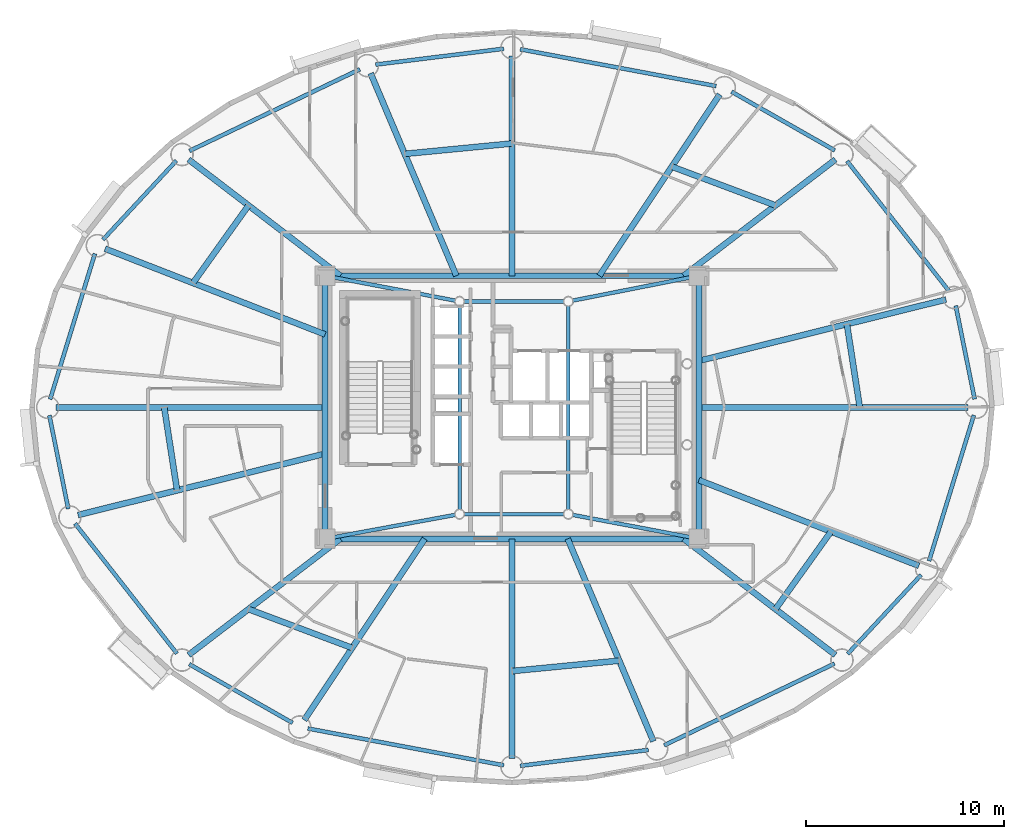
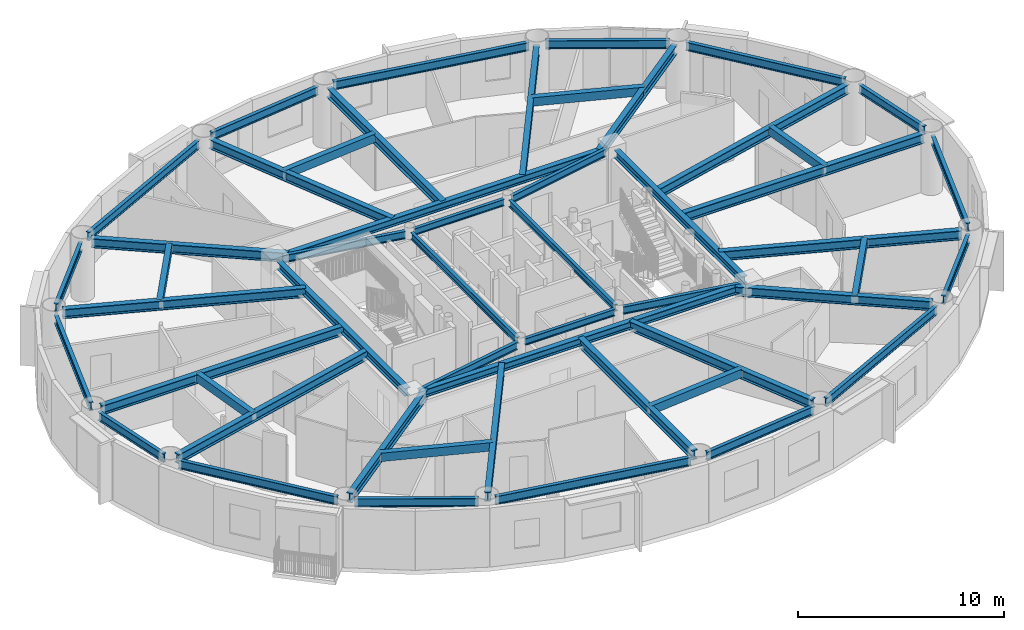
# One storey, part 3 of 19: 52 beams.
"""IFC4 building model written with IfcOpenShell, lengths in metres."""

import ifcopenshell
import ifcopenshell.guid

model = None  # the IFC model being written
_history = None  # IfcOwnerHistory: only IFC2X3 demands one
_inside = {}  # id of a spatial element -> (the spatial element, [elements in it])
_under = {}  # id of a project, library or spatial element -> (it, [spatial elements below it])
_declared = {}  # id of a project -> (the project, [libraries it declares])
_typed = {}  # id of a type object -> (the type object, [elements of that type])
_made_of = {}  # id of a material, layer set ... -> (it, [elements and type objects made of it])


def new_model(schema):
    """Start an empty IFC model of exactly this schema.

    Asked for "IFC4X3", IfcOpenShell would pick the latest addendum, in which some entities
    have other attributes; the version numbers below select the first issue.
    IFC2X3 requires an IfcOwnerHistory on every rooted entity: one is made here for all.
    """
    global model, _history
    if schema == "IFC4X3":
        model = ifcopenshell.file(schema_version=(4, 3, 0, 0))
    else:
        model = ifcopenshell.file(schema=schema)
    _inside.clear()
    _under.clear()
    _declared.clear()
    _typed.clear()
    _made_of.clear()
    _history = None
    if model.schema == "IFC2X3":
        org = make("IfcOrganization", Name="unknown")
        user = make(
            "IfcPersonAndOrganization",
            ThePerson=make("IfcPerson", FamilyName="unknown"),
            TheOrganization=org,
        )
        app = make(
            "IfcApplication",
            ApplicationDeveloper=org,
            Version="unknown",
            ApplicationFullName="unknown",
            ApplicationIdentifier="unknown",
        )
        _history = make(
            "IfcOwnerHistory",
            OwningUser=user,
            OwningApplication=app,
            ChangeAction="ADDED",
            CreationDate=0,
        )
    return model


def make(cls, **values):
    """One entity of the class cls with the attributes given. An attribute that is None is left unset."""
    return model.create_entity(
        cls, **{name: value for name, value in values.items() if value is not None}
    )


def rooted(cls, **values):
    """An entity with a GlobalId (a new one), such as an element, a storey or a relation."""
    return make(cls, GlobalId=ifcopenshell.guid.new(), OwnerHistory=_history, **values)


def si_unit(unit_type, name, prefix=None):
    """IfcSIUnit, for example si_unit("LENGTHUNIT", "METRE", prefix="MILLI")."""
    return make("IfcSIUnit", UnitType=unit_type, Prefix=prefix, Name=name)


def assignment(units):
    """IfcUnitAssignment: the units of a project."""
    return None if units is None else make("IfcUnitAssignment", Units=units)


def point(xyz):
    """IfcCartesianPoint."""
    return None if xyz is None else make("IfcCartesianPoint", Coordinates=xyz)


def direction(xyz):
    """IfcDirection."""
    return None if xyz is None else make("IfcDirection", DirectionRatios=xyz)


def frame(location, z_axis=None, x_axis=None):
    """IfcAxis2Placement3D, a coordinate frame: its origin and axes. An axis left out is left unset."""
    return make(
        "IfcAxis2Placement3D",
        Location=point(location),
        Axis=direction(z_axis),
        RefDirection=direction(x_axis),
    )


def frame_2d(location, x_axis=None):
    """IfcAxis2Placement2D, a coordinate frame in the plane: its origin and x axis."""
    return make(
        "IfcAxis2Placement2D", Location=point(location), RefDirection=direction(x_axis)
    )


def origin():
    """The frame at (0, 0, 0) with its axes left unset."""
    return frame((0.0, 0.0, 0.0))


def origin_2d():
    """The frame at (0, 0) in the plane with its x axis left unset."""
    return frame_2d((0.0, 0.0))


def place(relative_to, where):
    """IfcLocalPlacement: puts the frame where relative to a parent placement (None: the world)."""
    return make(
        "IfcLocalPlacement", PlacementRelTo=relative_to, RelativePlacement=where
    )


def context(
    kind, dimensions, precision=None, world=None, true_north=None, identifier=None
):
    """IfcGeometricRepresentationContext, for example the 3D "Model" context."""
    return make(
        "IfcGeometricRepresentationContext",
        ContextIdentifier=identifier,
        ContextType=kind,
        CoordinateSpaceDimension=dimensions,
        Precision=precision,
        WorldCoordinateSystem=world,
        TrueNorth=true_north,
    )


def subcontext(parent, identifier, kind, view, scale=None):
    """IfcGeometricRepresentationSubContext, for example "Body" below "Model"."""
    return make(
        "IfcGeometricRepresentationSubContext",
        ContextIdentifier=identifier,
        ContextType=kind,
        ParentContext=parent,
        TargetScale=scale,
        TargetView=view,
    )


def project(units=None, contexts=None):
    """IfcProject with its units and contexts."""
    return rooted(
        "IfcProject",
        Name="project",
        RepresentationContexts=contexts,
        UnitsInContext=assignment(units),
    )


def spatial(cls, under=None, at=None, **own):
    """A site, building, storey or space (cls), placed at a placement, below another one or the project."""
    s = rooted(cls, ObjectPlacement=at, **own)
    if under is not None:
        _under.setdefault(under.id(), (under, []))[1].append(s)
    return s


def profile(cls, at=None, kind="AREA", **sizes):
    """A parametric profile (cls). Its sizes go by their IFC names, for example OverallWidth=200.0."""
    return make(cls, ProfileType=kind, Position=at, **sizes)


def hollow_rectangle(**sizes):
    """IfcRectangleHollowProfileDef."""
    return profile("IfcRectangleHollowProfileDef", **sizes)


def i_section(**sizes):
    """IfcIShapeProfileDef."""
    return profile("IfcIShapeProfileDef", **sizes)


def extrude(swept, where, along, depth):
    """IfcExtrudedAreaSolid: the profile swept, set in the frame where, extruded along a direction by depth."""
    return make(
        "IfcExtrudedAreaSolid",
        SweptArea=swept,
        Position=where,
        ExtrudedDirection=direction(along),
        Depth=depth,
    )


def shape(context_of_items, identifier, shape_type, items):
    """IfcShapeRepresentation: the items that make up one representation, for example the "Body"."""
    return make(
        "IfcShapeRepresentation",
        ContextOfItems=context_of_items,
        RepresentationIdentifier=identifier,
        RepresentationType=shape_type,
        Items=items,
    )


def material(Name=None, Category=None):
    """IfcMaterial."""
    return make("IfcMaterial", Name=Name, Category=Category)


def material_profile(
    of_material, cross_section, Name=None, Category=None, Priority=None
):
    """IfcMaterialProfile: a cross section and its material."""
    return make(
        "IfcMaterialProfile",
        Name=Name,
        Material=of_material,
        Profile=cross_section,
        Priority=Priority,
        Category=Category,
    )


def profile_set(profiles, Name=None, composite=None):
    """IfcMaterialProfileSet."""
    return make(
        "IfcMaterialProfileSet",
        Name=Name,
        MaterialProfiles=profiles,
        CompositeProfile=composite,
    )


def made_of(thing, what):
    """Note that an element or type object is made of a material, layer set ...; save() writes the relation."""
    if what is not None:
        _made_of.setdefault(what.id(), (what, []))[1].append(thing)
    return thing


def type_object(cls, material=None, **own):
    """A type object (cls), such as IfcWallType, which elements share."""
    return made_of(rooted(cls, **own), material)


def element(
    cls,
    number,
    at=None,
    inside=None,
    cuts=None,
    type_object=None,
    material=None,
    context=None,
    identifier="Body",
    shape_type=None,
    held_by="IfcProductDefinitionShape",
    body=None,
    shapes=None,
    **own,
):
    """One element of the class cls, such as IfcWall. Its Tag is "e" and its number.

    at: its placement. inside: the storey or other place that contains it. cuts: it is an
    opening in that element (IfcRelVoidsElement). A single representation is given by context,
    identifier, shape_type and body (its items); several are given by shapes. held_by: the class
    of the entity that holds the representations. save() writes the other relations.
    """
    e = rooted(cls, Tag="e%d" % number, ObjectPlacement=at, **own)
    if body is not None:
        shapes = [shape(context, identifier, shape_type, body)]
    if shapes is not None:
        e.Representation = make(held_by, Representations=shapes)
    if inside is not None:
        _inside.setdefault(inside.id(), (inside, []))[1].append(e)
    if cuts is not None:
        rooted(
            "IfcRelVoidsElement", RelatingBuildingElement=cuts, RelatedOpeningElement=e
        )
    if type_object is not None:
        _typed.setdefault(type_object.id(), (type_object, []))[1].append(e)
    return made_of(e, material)


def aggregate(whole, parts):
    """IfcRelAggregates: a whole, such as a stair, and the parts it consists of."""
    return rooted("IfcRelAggregates", RelatingObject=whole, RelatedObjects=parts)


def save(model, path):
    """Write the relations noted so far, then the file.

    IfcRelAggregates (storeys below a building ...), IfcRelContainedInSpatialStructure (elements
    in a storey), IfcRelDefinesByType, IfcRelAssociatesMaterial and IfcRelDeclares: one each for
    every whole, place, type object, material and project.
    """
    for whole, parts in _under.values():
        aggregate(whole, parts)
    for where, things in _inside.values():
        rooted(
            "IfcRelContainedInSpatialStructure",
            RelatedElements=things,
            RelatingStructure=where,
        )
    for kind, things in _typed.values():
        rooted("IfcRelDefinesByType", RelatedObjects=things, RelatingType=kind)
    for what, things in _made_of.values():
        rooted("IfcRelAssociatesMaterial", RelatedObjects=things, RelatingMaterial=what)
    for by, libraries in _declared.values():
        rooted("IfcRelDeclares", RelatingContext=by, RelatedDefinitions=libraries)
    model.write(path)


model = new_model("IFC4")

# Units and contexts
model_context = context("Model", 3, precision=1e-05, world=origin(), true_north=direction((0.0, 1.0)))
body_context = subcontext(model_context, "Body", "Model", "MODEL_VIEW")
ifc_project = project(units=[si_unit("LENGTHUNIT", "METRE"), si_unit("AREAUNIT", "SQUARE_METRE"), si_unit("VOLUMEUNIT", "CUBIC_METRE"), si_unit("PLANEANGLEUNIT", "RADIAN"), si_unit("MASSUNIT", "GRAM", prefix="KILO")], contexts=[model_context])

# Site, building, storey
site_placement = place(None, origin())
site = spatial("IfcSite", under=ifc_project, at=site_placement, CompositionType="ELEMENT")
building_placement = place(site_placement, origin())
building = spatial("IfcBuilding", under=site, at=building_placement, Name="Linh Dai School and Residence Tower", CompositionType="ELEMENT")
storey_placement = place(building_placement, frame((0.0, 0.0, 247.800048828125)))
storey = spatial("IfcBuildingStorey", under=building, at=storey_placement, Name="L61", CompositionType="ELEMENT", Elevation=247.800048828125)

# Beams
ifc_material = material(Name="Structural Steel S355JR", Category="steel")
ifc_material_profile_1 = material_profile(ifc_material, hollow_rectangle(XDim=0.300048828125, YDim=0.5, WallThickness=0.01611328125, at=origin_2d()), Name="RHS 500x300x16")
ifc_profile_set_1 = profile_set([ifc_material_profile_1], Name="Structural Steel S355JR")
beam_type_1 = type_object("IfcBeamType", Name="BM-BX5", PredefinedType="BEAM", material=ifc_profile_set_1)
beam_1_placement = place(storey_placement, frame((53.583740234375, 27.0048828125, 3.25), z_axis=(-0.153185278766, 0.988197485511, 0.0), x_axis=(-0.988197485511, -0.153185278766, 0.0)))
element("IfcBeam", 1, at=beam_1_placement, inside=storey, type_object=beam_type_1, Name="L61 Secondary Circumferential Floor Beam 01", PredefinedType="BEAM", context=body_context, shape_type="SweptSolid", body=[
    extrude(hollow_rectangle(XDim=0.300048828125, YDim=0.5, WallThickness=0.01611328125, at=origin_2d()), origin(), (0.0, 0.0, 1.0), 4.244140625),
])
beam_2_placement = place(storey_placement, frame((49.3173828125, 37.207763671875, 3.25), z_axis=(-0.936542736839, 0.350553422567, 0.0), x_axis=(-0.350553422567, -0.936542736839, 0.0)))
element("IfcBeam", 2, at=beam_2_placement, inside=storey, type_object=beam_type_1, Name="L61 Secondary Circumferential Floor Beam 02", PredefinedType="BEAM", context=body_context, shape_type="SweptSolid", body=[
    extrude(hollow_rectangle(XDim=0.300048828125, YDim=0.5, WallThickness=0.01611328125, at=origin_2d()), origin(), (0.0, 0.0, 1.0), 5.586181640625),
])
beam_3_placement = place(storey_placement, frame((35.9951171875, 40.3369140625, 3.25), z_axis=(-0.99533180868, -0.096512126851, 0.0), x_axis=(0.096512126851, -0.99533180868, 0.0)))
element("IfcBeam", 3, at=beam_3_placement, inside=storey, type_object=beam_type_1, Name="L61 Secondary Circumferential Floor Beam 03", PredefinedType="BEAM", context=body_context, shape_type="SweptSolid", body=[
    extrude(hollow_rectangle(XDim=0.300048828125, YDim=0.5, WallThickness=0.01611328125, at=origin_2d()), origin(), (0.0, 0.0, 1.0), 5.438720703125),
])
beam_4_placement = place(storey_placement, frame((22.675048828125, 37.201904296875, 3.25), z_axis=(-0.582034525951, -0.813164073605, 0.0), x_axis=(0.813164073605, -0.582034525951, 0.0)))
element("IfcBeam", 4, at=beam_4_placement, inside=storey, type_object=beam_type_1, Name="L61 Secondary Circumferential Floor Beam 04", PredefinedType="BEAM", context=body_context, shape_type="SweptSolid", body=[
    extrude(hollow_rectangle(XDim=0.300048828125, YDim=0.5, WallThickness=0.01611328125, at=origin_2d()), origin(), (0.0, 0.0, 1.0), 4.8125),
])
beam_5_placement = place(storey_placement, frame((18.416259765625, 26.9951171875, 3.25), z_axis=(0.153185278766, -0.988197485511, 0.0), x_axis=(0.988197485511, 0.153185278766, 0.0)))
element("IfcBeam", 5, at=beam_5_placement, inside=storey, type_object=beam_type_1, Name="L61 Secondary Circumferential Floor Beam 05", PredefinedType="BEAM", context=body_context, shape_type="SweptSolid", body=[
    extrude(hollow_rectangle(XDim=0.300048828125, YDim=0.5, WallThickness=0.01611328125, at=origin_2d()), origin(), (0.0, 0.0, 1.0), 4.244140625),
])
beam_6_placement = place(storey_placement, frame((22.6826171875, 16.792236328125, 3.25), z_axis=(0.936542736839, -0.350553422567, 0.0), x_axis=(0.350553422567, 0.936542736839, 0.0)))
element("IfcBeam", 6, at=beam_6_placement, inside=storey, type_object=beam_type_1, Name="L61 Secondary Circumferential Floor Beam 06", PredefinedType="BEAM", context=body_context, shape_type="SweptSolid", body=[
    extrude(hollow_rectangle(XDim=0.300048828125, YDim=0.5, WallThickness=0.01611328125, at=origin_2d()), origin(), (0.0, 0.0, 1.0), 5.586181640625),
])
beam_7_placement = place(storey_placement, frame((36.0048828125, 13.6630859375, 3.25), z_axis=(0.99533180868, 0.096512126851, 0.0), x_axis=(-0.096512126851, 0.99533180868, 0.0)))
element("IfcBeam", 7, at=beam_7_placement, inside=storey, type_object=beam_type_1, Name="L61 Secondary Circumferential Floor Beam 07", PredefinedType="BEAM", context=body_context, shape_type="SweptSolid", body=[
    extrude(hollow_rectangle(XDim=0.300048828125, YDim=0.5, WallThickness=0.01611328125, at=origin_2d()), origin(), (0.0, 0.0, 1.0), 5.438720703125),
])
beam_8_placement = place(storey_placement, frame((49.324951171875, 16.798095703125, 3.25), z_axis=(0.582034525951, 0.813164073605, 0.0), x_axis=(-0.813164073605, 0.582034525951, 0.0)))
element("IfcBeam", 8, at=beam_8_placement, inside=storey, type_object=beam_type_1, Name="L61 Secondary Circumferential Floor Beam 08", PredefinedType="BEAM", context=body_context, shape_type="SweptSolid", body=[
    extrude(hollow_rectangle(XDim=0.300048828125, YDim=0.5, WallThickness=0.01611328125, at=origin_2d()), origin(), (0.0, 0.0, 1.0), 4.8125),
])
ifc_material_profile_2 = material_profile(ifc_material, i_section(OverallWidth=0.199951171875, OverallDepth=0.5, WebThickness=0.01025390625, FlangeThickness=0.01611328125, FilletRadius=0.02099609375, at=origin_2d()), Name="IPE 500")
ifc_profile_set_2 = profile_set([ifc_material_profile_2], Name="Structural Steel S355JR")
beam_type_2 = type_object("IfcBeamType", Name="BM-RB50", PredefinedType="BEAM", material=ifc_profile_set_2)
beam_9_placement = place(storey_placement, frame((59.3916015625, 27.41162109375, 3.25), z_axis=(-0.198423200906, 0.980116438666, 0.0), x_axis=(-0.980116438666, -0.198423200906, 0.0)))
element("IfcBeam", 9, at=beam_9_placement, inside=storey, type_object=beam_type_2, Name="L61 Perimeter Elliptical Ring Beam 01", PredefinedType="BEAM", context=body_context, shape_type="SweptSolid", body=[
    extrude(i_section(OverallWidth=0.199951171875, OverallDepth=0.5, WebThickness=0.01025390625, FlangeThickness=0.01611328125, FilletRadius=0.02099609375, at=origin_2d()), origin(), (0.0, 0.0, 1.0), 4.822021484375),
])
beam_10_placement = place(storey_placement, frame((58.09228515625, 32.8798828125, 3.25), z_axis=(-0.616900268003, 0.787041332674, 0.0), x_axis=(-0.787041332674, -0.616900268003, 0.0)))
element("IfcBeam", 10, at=beam_10_placement, inside=storey, type_object=beam_type_2, Name="L61 Perimeter Elliptical Ring Beam 02", PredefinedType="BEAM", context=body_context, shape_type="SweptSolid", body=[
    extrude(i_section(OverallWidth=0.199951171875, OverallDepth=0.5, WebThickness=0.01025390625, FlangeThickness=0.01611328125, FilletRadius=0.02099609375, at=origin_2d()), origin(), (0.0, 0.0, 1.0), 8.348388671875),
])
beam_11_placement = place(storey_placement, frame((52.318115234375, 39.988525390625, 3.25), z_axis=(-0.869297314463, 0.494289570058, 0.0), x_axis=(-0.494289570058, -0.869297314463, 0.0)))
element("IfcBeam", 11, at=beam_11_placement, inside=storey, type_object=beam_type_2, Name="L61 Perimeter Elliptical Ring Beam 03", PredefinedType="BEAM", context=body_context, shape_type="SweptSolid", body=[
    extrude(i_section(OverallWidth=0.199951171875, OverallDepth=0.5, WebThickness=0.01025390625, FlangeThickness=0.01611328125, FilletRadius=0.02099609375, at=origin_2d()), origin(), (0.0, 0.0, 1.0), 6.003173828125),
])
beam_12_placement = place(storey_placement, frame((46.32177734375, 43.240966796875, 3.25), z_axis=(-0.982806607762, 0.184637947722, 0.0), x_axis=(-0.184637947722, -0.982806607762, 0.0)))
element("IfcBeam", 12, at=beam_12_placement, inside=storey, type_object=beam_type_2, Name="L61 Perimeter Elliptical Ring Beam 04", PredefinedType="BEAM", context=body_context, shape_type="SweptSolid", body=[
    extrude(i_section(OverallWidth=0.199951171875, OverallDepth=0.5, WebThickness=0.01025390625, FlangeThickness=0.01611328125, FilletRadius=0.02099609375, at=origin_2d()), origin(), (0.0, 0.0, 1.0), 10.082275390625),
])
beam_13_placement = place(storey_placement, frame((35.583251953125, 45.12841796875, 3.25), z_axis=(-0.992401656104, -0.123040452539, 0.0), x_axis=(0.123040452539, -0.992401656104, 0.0)))
element("IfcBeam", 13, at=beam_13_placement, inside=storey, type_object=beam_type_2, Name="L61 Perimeter Elliptical Ring Beam 05", PredefinedType="BEAM", context=body_context, shape_type="SweptSolid", body=[
    extrude(i_section(OverallWidth=0.199951171875, OverallDepth=0.5, WebThickness=0.01025390625, FlangeThickness=0.01611328125, FilletRadius=0.02099609375, at=origin_2d()), origin(), (0.0, 0.0, 1.0), 6.528076171875),
])
beam_14_placement = place(storey_placement, frame((28.309326171875, 44.092041015625, 3.25), z_axis=(-0.901735920201, -0.432287323686, 0.0), x_axis=(0.432287323686, -0.901735920201, 0.0)))
element("IfcBeam", 14, at=beam_14_placement, inside=storey, type_object=beam_type_2, Name="L61 Perimeter Elliptical Ring Beam 06", PredefinedType="BEAM", context=body_context, shape_type="SweptSolid", body=[
    extrude(i_section(OverallWidth=0.199951171875, OverallDepth=0.5, WebThickness=0.01025390625, FlangeThickness=0.01611328125, FilletRadius=0.02099609375, at=origin_2d()), origin(), (0.0, 0.0, 1.0), 9.552490234375),
])
beam_15_placement = place(storey_placement, frame((19.031005859375, 39.47314453125, 3.25), z_axis=(-0.68040816846, -0.732833353699, 0.0), x_axis=(0.732833353699, -0.68040816846, 0.0)))
element("IfcBeam", 15, at=beam_15_placement, inside=storey, type_object=beam_type_2, Name="L61 Perimeter Elliptical Ring Beam 07", PredefinedType="BEAM", context=body_context, shape_type="SweptSolid", body=[
    extrude(i_section(OverallWidth=0.199951171875, OverallDepth=0.5, WebThickness=0.01025390625, FlangeThickness=0.01611328125, FilletRadius=0.02099609375, at=origin_2d()), origin(), (0.0, 0.0, 1.0), 5.453369140625),
])
beam_16_placement = place(storey_placement, frame((14.911376953125, 34.767578125, 3.25), z_axis=(-0.293660595717, -0.95590975229, 0.0), x_axis=(0.95590975229, -0.293660595717, 0.0)))
element("IfcBeam", 16, at=beam_16_placement, inside=storey, type_object=beam_type_2, Name="L61 Perimeter Elliptical Ring Beam 08", PredefinedType="BEAM", context=body_context, shape_type="SweptSolid", body=[
    extrude(i_section(OverallWidth=0.199951171875, OverallDepth=0.5, WebThickness=0.01025390625, FlangeThickness=0.01611328125, FilletRadius=0.02099609375, at=origin_2d()), origin(), (0.0, 0.0, 1.0), 7.7060546875),
])
beam_17_placement = place(storey_placement, frame((12.6083984375, 26.58837890625, 3.25), z_axis=(0.198423200906, -0.980116438666, 0.0), x_axis=(0.980116438666, 0.198423200906, 0.0)))
element("IfcBeam", 17, at=beam_17_placement, inside=storey, type_object=beam_type_2, Name="L61 Perimeter Elliptical Ring Beam 09", PredefinedType="BEAM", context=body_context, shape_type="SweptSolid", body=[
    extrude(i_section(OverallWidth=0.199951171875, OverallDepth=0.5, WebThickness=0.01025390625, FlangeThickness=0.01611328125, FilletRadius=0.02099609375, at=origin_2d()), origin(), (0.0, 0.0, 1.0), 4.822021484375),
])
beam_18_placement = place(storey_placement, frame((13.90771484375, 21.1201171875, 3.25), z_axis=(0.616900268003, -0.787041332674, 0.0), x_axis=(0.787041332674, 0.616900268003, 0.0)))
element("IfcBeam", 18, at=beam_18_placement, inside=storey, type_object=beam_type_2, Name="L61 Perimeter Elliptical Ring Beam 10", PredefinedType="BEAM", context=body_context, shape_type="SweptSolid", body=[
    extrude(i_section(OverallWidth=0.199951171875, OverallDepth=0.5, WebThickness=0.01025390625, FlangeThickness=0.01611328125, FilletRadius=0.02099609375, at=origin_2d()), origin(), (0.0, 0.0, 1.0), 8.348388671875),
])
beam_19_placement = place(storey_placement, frame((19.681884765625, 14.011474609375, 3.25), z_axis=(0.869297314463, -0.494289570058, 0.0), x_axis=(0.494289570058, 0.869297314463, 0.0)))
element("IfcBeam", 19, at=beam_19_placement, inside=storey, type_object=beam_type_2, Name="L61 Perimeter Elliptical Ring Beam 11", PredefinedType="BEAM", context=body_context, shape_type="SweptSolid", body=[
    extrude(i_section(OverallWidth=0.199951171875, OverallDepth=0.5, WebThickness=0.01025390625, FlangeThickness=0.01611328125, FilletRadius=0.02099609375, at=origin_2d()), origin(), (0.0, 0.0, 1.0), 6.003173828125),
])
beam_20_placement = place(storey_placement, frame((25.67822265625, 10.759033203125, 3.25), z_axis=(0.982806607762, -0.184637947722, 0.0), x_axis=(0.184637947722, 0.982806607762, 0.0)))
element("IfcBeam", 20, at=beam_20_placement, inside=storey, type_object=beam_type_2, Name="L61 Perimeter Elliptical Ring Beam 12", PredefinedType="BEAM", context=body_context, shape_type="SweptSolid", body=[
    extrude(i_section(OverallWidth=0.199951171875, OverallDepth=0.5, WebThickness=0.01025390625, FlangeThickness=0.01611328125, FilletRadius=0.02099609375, at=origin_2d()), origin(), (0.0, 0.0, 1.0), 10.082275390625),
])
beam_21_placement = place(storey_placement, frame((36.416748046875, 8.87158203125, 3.25), z_axis=(0.992401656104, 0.123040452539, 0.0), x_axis=(-0.123040452539, 0.992401656104, 0.0)))
element("IfcBeam", 21, at=beam_21_placement, inside=storey, type_object=beam_type_2, Name="L61 Perimeter Elliptical Ring Beam 13", PredefinedType="BEAM", context=body_context, shape_type="SweptSolid", body=[
    extrude(i_section(OverallWidth=0.199951171875, OverallDepth=0.5, WebThickness=0.01025390625, FlangeThickness=0.01611328125, FilletRadius=0.02099609375, at=origin_2d()), origin(), (0.0, 0.0, 1.0), 6.528076171875),
])
beam_22_placement = place(storey_placement, frame((43.690673828125, 9.907958984375, 3.25), z_axis=(0.901735920201, 0.432287323686, 0.0), x_axis=(-0.432287323686, 0.901735920201, 0.0)))
element("IfcBeam", 22, at=beam_22_placement, inside=storey, type_object=beam_type_2, Name="L61 Perimeter Elliptical Ring Beam 14", PredefinedType="BEAM", context=body_context, shape_type="SweptSolid", body=[
    extrude(i_section(OverallWidth=0.199951171875, OverallDepth=0.5, WebThickness=0.01025390625, FlangeThickness=0.01611328125, FilletRadius=0.02099609375, at=origin_2d()), origin(), (0.0, 0.0, 1.0), 9.552490234375),
])
beam_23_placement = place(storey_placement, frame((52.968994140625, 14.52685546875, 3.25), z_axis=(0.68040816846, 0.732833353699, 0.0), x_axis=(-0.732833353699, 0.68040816846, 0.0)))
element("IfcBeam", 23, at=beam_23_placement, inside=storey, type_object=beam_type_2, Name="L61 Perimeter Elliptical Ring Beam 15", PredefinedType="BEAM", context=body_context, shape_type="SweptSolid", body=[
    extrude(i_section(OverallWidth=0.199951171875, OverallDepth=0.5, WebThickness=0.01025390625, FlangeThickness=0.01611328125, FilletRadius=0.02099609375, at=origin_2d()), origin(), (0.0, 0.0, 1.0), 5.453369140625),
])
beam_24_placement = place(storey_placement, frame((57.088623046875, 19.232421875, 3.25), z_axis=(0.293660595717, 0.95590975229, 0.0), x_axis=(-0.95590975229, 0.293660595717, 0.0)))
element("IfcBeam", 24, at=beam_24_placement, inside=storey, type_object=beam_type_2, Name="L61 Perimeter Elliptical Ring Beam 16", PredefinedType="BEAM", context=body_context, shape_type="SweptSolid", body=[
    extrude(i_section(OverallWidth=0.199951171875, OverallDepth=0.5, WebThickness=0.01025390625, FlangeThickness=0.01611328125, FilletRadius=0.02099609375, at=origin_2d()), origin(), (0.0, 0.0, 1.0), 7.7060546875),
])
ifc_material_profile_3 = material_profile(ifc_material, i_section(OverallWidth=0.300048828125, OverallDepth=0.449951171875, WebThickness=0.013916015625, FlangeThickness=0.02587890625, FilletRadius=0.027099609375, at=origin_2d()), Name="HEB 450")
ifc_profile_set_3 = profile_set([ifc_material_profile_3], Name="Structural Steel S355JR")
beam_type_3 = type_object("IfcBeamType", Name="BM-RG45", PredefinedType="BEAM", material=ifc_profile_set_3)
beam_25_placement = place(storey_placement, frame((26.969970703125, 20.35009765625, 3.27490234375), z_axis=(1.0, 0.0, 0.0), x_axis=(0.0, 1.0, 0.0)))
element("IfcBeam", 25, at=beam_25_placement, inside=storey, type_object=beam_type_3, Name="L61 Core Perimeter Coupling Girder 1", PredefinedType="BEAM", context=body_context, shape_type="SweptSolid", body=[
    extrude(i_section(OverallWidth=0.300048828125, OverallDepth=0.449951171875, WebThickness=0.013916015625, FlangeThickness=0.02587890625, FilletRadius=0.027099609375, at=origin_2d()), origin(), (0.0, 0.0, 1.0), 18.06005859375),
])
beam_26_placement = place(storey_placement, frame((45.449951171875, 20.77001953125, 3.27490234375), z_axis=(0.0, 1.0, 0.0), x_axis=(-1.0, 0.0, 0.0)))
element("IfcBeam", 26, at=beam_26_placement, inside=storey, type_object=beam_type_3, Name="L61 Core Perimeter Coupling Girder 2", PredefinedType="BEAM", context=body_context, shape_type="SweptSolid", body=[
    extrude(i_section(OverallWidth=0.300048828125, OverallDepth=0.449951171875, WebThickness=0.013916015625, FlangeThickness=0.02587890625, FilletRadius=0.027099609375, at=origin_2d()), origin(), (0.0, 0.0, 1.0), 12.4599609375),
])
beam_27_placement = place(storey_placement, frame((45.030029296875, 33.64990234375, 3.27490234375), z_axis=(-1.0, 0.0, 0.0), x_axis=(0.0, -1.0, 0.0)))
element("IfcBeam", 27, at=beam_27_placement, inside=storey, type_object=beam_type_3, Name="L61 Core Perimeter Coupling Girder 3", PredefinedType="BEAM", context=body_context, shape_type="SweptSolid", body=[
    extrude(i_section(OverallWidth=0.300048828125, OverallDepth=0.449951171875, WebThickness=0.013916015625, FlangeThickness=0.02587890625, FilletRadius=0.027099609375, at=origin_2d()), origin(), (0.0, 0.0, 1.0), 18.06005859375),
])
beam_28_placement = place(storey_placement, frame((26.550048828125, 33.22998046875, 3.27490234375), z_axis=(0.0, -1.0, 0.0), x_axis=(1.0, 0.0, 0.0)))
element("IfcBeam", 28, at=beam_28_placement, inside=storey, type_object=beam_type_3, Name="L61 Core Perimeter Coupling Girder 4", PredefinedType="BEAM", context=body_context, shape_type="SweptSolid", body=[
    extrude(i_section(OverallWidth=0.300048828125, OverallDepth=0.449951171875, WebThickness=0.013916015625, FlangeThickness=0.02587890625, FilletRadius=0.027099609375, at=origin_2d()), origin(), (0.0, 0.0, 1.0), 12.4599609375),
])
ifc_material_profile_4 = material_profile(ifc_material, i_section(OverallWidth=0.300048828125, OverallDepth=0.550048828125, WebThickness=0.014892578125, FlangeThickness=0.029052734375, FilletRadius=0.027099609375, at=origin_2d()), Name="HEB 550")
ifc_profile_set_4 = profile_set([ifc_material_profile_4], Name="Structural Steel S355JR")
beam_type_4 = type_object("IfcBeamType", Name="BM-RG55", PredefinedType="BEAM", material=ifc_profile_set_4)
beam_29_placement = place(storey_placement, frame((45.449951171875, 27.0, 3.224853515625), z_axis=(1.0, 0.0, 0.0), x_axis=(0.0, 1.0, 0.0)))
element("IfcBeam", 29, at=beam_29_placement, inside=storey, type_object=beam_type_4, Name="L61 Primary Radial Floor Girder 01", PredefinedType="BEAM", context=body_context, shape_type="SweptSolid", body=[
    extrude(i_section(OverallWidth=0.300048828125, OverallDepth=0.550048828125, WebThickness=0.014892578125, FlangeThickness=0.029052734375, FilletRadius=0.027099609375, at=origin_2d()), origin(), (0.0, 0.0, 1.0), 13.60498046875),
])
beam_30_placement = place(storey_placement, frame((45.449951171875, 29.34619140625, 3.224853515625), z_axis=(0.970537241974, 0.240951160904, 0.0), x_axis=(-0.240951160904, 0.970537241974, 0.0)))
element("IfcBeam", 30, at=beam_30_placement, inside=storey, type_object=beam_type_4, Name="L61 Primary Radial Floor Girder 02", PredefinedType="BEAM", context=body_context, shape_type="SweptSolid", body=[
    extrude(i_section(OverallWidth=0.300048828125, OverallDepth=0.550048828125, WebThickness=0.014892578125, FlangeThickness=0.029052734375, FilletRadius=0.027099609375, at=origin_2d()), origin(), (0.0, 0.0, 1.0), 12.873291015625),
])
beam_31_placement = place(storey_placement, frame((44.680419921875, 33.64990234375, 3.224853515625), z_axis=(0.793814553483, 0.608159892363, 0.0), x_axis=(-0.608159892363, 0.793814553483, 0.0)))
element("IfcBeam", 31, at=beam_31_placement, inside=storey, type_object=beam_type_4, Name="L61 Primary Radial Floor Girder 03", PredefinedType="BEAM", context=body_context, shape_type="SweptSolid", body=[
    extrude(i_section(OverallWidth=0.300048828125, OverallDepth=0.550048828125, WebThickness=0.014892578125, FlangeThickness=0.029052734375, FilletRadius=0.027099609375, at=origin_2d()), origin(), (0.0, 0.0, 1.0), 9.661376953125),
])
beam_32_placement = place(storey_placement, frame((40.41650390625, 33.64990234375, 3.224853515625), z_axis=(0.553219177991, 0.833035738191, 0.0), x_axis=(-0.833035738191, 0.553219177991, 0.0)))
element("IfcBeam", 32, at=beam_32_placement, inside=storey, type_object=beam_type_4, Name="L61 Primary Radial Floor Girder 04", PredefinedType="BEAM", context=body_context, shape_type="SweptSolid", body=[
    extrude(i_section(OverallWidth=0.300048828125, OverallDepth=0.550048828125, WebThickness=0.014892578125, FlangeThickness=0.029052734375, FilletRadius=0.027099609375, at=origin_2d()), origin(), (0.0, 0.0, 1.0), 11.00048828125),
])
beam_33_placement = place(storey_placement, frame((36.0, 33.64990234375, 3.224853515625), z_axis=(0.0, 1.0, 0.0), x_axis=(-1.0, 0.0, 0.0)))
element("IfcBeam", 33, at=beam_33_placement, inside=storey, type_object=beam_type_4, Name="L61 Primary Radial Floor Girder 05", PredefinedType="BEAM", context=body_context, shape_type="SweptSolid", body=[
    extrude(i_section(OverallWidth=0.300048828125, OverallDepth=0.550048828125, WebThickness=0.014892578125, FlangeThickness=0.029052734375, FilletRadius=0.027099609375, at=origin_2d()), origin(), (0.0, 0.0, 1.0), 11.110107421875),
])
beam_34_placement = place(storey_placement, frame((33.18505859375, 33.64990234375, 3.224853515625), z_axis=(-0.389814803082, 0.920893272479, 0.0), x_axis=(-0.920893272479, -0.389814803082, 0.0)))
element("IfcBeam", 34, at=beam_34_placement, inside=storey, type_object=beam_type_4, Name="L61 Primary Radial Floor Girder 06", PredefinedType="BEAM", context=body_context, shape_type="SweptSolid", body=[
    extrude(i_section(OverallWidth=0.300048828125, OverallDepth=0.550048828125, WebThickness=0.014892578125, FlangeThickness=0.029052734375, FilletRadius=0.027099609375, at=origin_2d()), origin(), (0.0, 0.0, 1.0), 11.1162109375),
])
beam_35_placement = place(storey_placement, frame((27.319580078125, 33.64990234375, 3.224853515625), z_axis=(-0.793814553483, 0.608159892363, 0.0), x_axis=(-0.608159892363, -0.793814553483, 0.0)))
element("IfcBeam", 35, at=beam_35_placement, inside=storey, type_object=beam_type_4, Name="L61 Primary Radial Floor Girder 07", PredefinedType="BEAM", context=body_context, shape_type="SweptSolid", body=[
    extrude(i_section(OverallWidth=0.300048828125, OverallDepth=0.550048828125, WebThickness=0.014892578125, FlangeThickness=0.029052734375, FilletRadius=0.027099609375, at=origin_2d()), origin(), (0.0, 0.0, 1.0), 9.661376953125),
])
beam_36_placement = place(storey_placement, frame((26.550048828125, 30.68212890625, 3.224853515625), z_axis=(-0.931764994123, 0.363061972295, 0.0), x_axis=(-0.363061972295, -0.931764994123, 0.0)))
element("IfcBeam", 36, at=beam_36_placement, inside=storey, type_object=beam_type_4, Name="L61 Primary Radial Floor Girder 08", PredefinedType="BEAM", context=body_context, shape_type="SweptSolid", body=[
    extrude(i_section(OverallWidth=0.300048828125, OverallDepth=0.550048828125, WebThickness=0.014892578125, FlangeThickness=0.029052734375, FilletRadius=0.027099609375, at=origin_2d()), origin(), (0.0, 0.0, 1.0), 11.938720703125),
])
beam_37_placement = place(storey_placement, frame((26.550048828125, 27.0, 3.224853515625), z_axis=(-1.0, 0.0, 0.0), x_axis=(0.0, -1.0, 0.0)))
element("IfcBeam", 37, at=beam_37_placement, inside=storey, type_object=beam_type_4, Name="L61 Primary Radial Floor Girder 09", PredefinedType="BEAM", context=body_context, shape_type="SweptSolid", body=[
    extrude(i_section(OverallWidth=0.300048828125, OverallDepth=0.550048828125, WebThickness=0.014892578125, FlangeThickness=0.029052734375, FilletRadius=0.027099609375, at=origin_2d()), origin(), (0.0, 0.0, 1.0), 13.60498046875),
])
beam_38_placement = place(storey_placement, frame((26.550048828125, 24.65380859375, 3.224853515625), z_axis=(-0.970537241974, -0.240951160904, 0.0), x_axis=(0.240951160904, -0.970537241974, 0.0)))
element("IfcBeam", 38, at=beam_38_placement, inside=storey, type_object=beam_type_4, Name="L61 Primary Radial Floor Girder 10", PredefinedType="BEAM", context=body_context, shape_type="SweptSolid", body=[
    extrude(i_section(OverallWidth=0.300048828125, OverallDepth=0.550048828125, WebThickness=0.014892578125, FlangeThickness=0.029052734375, FilletRadius=0.027099609375, at=origin_2d()), origin(), (0.0, 0.0, 1.0), 12.873291015625),
])
beam_39_placement = place(storey_placement, frame((27.319580078125, 20.35009765625, 3.224853515625), z_axis=(-0.793814553483, -0.608159892363, 0.0), x_axis=(0.608159892363, -0.793814553483, 0.0)))
element("IfcBeam", 39, at=beam_39_placement, inside=storey, type_object=beam_type_4, Name="L61 Primary Radial Floor Girder 11", PredefinedType="BEAM", context=body_context, shape_type="SweptSolid", body=[
    extrude(i_section(OverallWidth=0.300048828125, OverallDepth=0.550048828125, WebThickness=0.014892578125, FlangeThickness=0.029052734375, FilletRadius=0.027099609375, at=origin_2d()), origin(), (0.0, 0.0, 1.0), 9.661376953125),
])
beam_40_placement = place(storey_placement, frame((31.58349609375, 20.35009765625, 3.224853515625), z_axis=(-0.553219177991, -0.833035738191, 0.0), x_axis=(0.833035738191, -0.553219177991, 0.0)))
element("IfcBeam", 40, at=beam_40_placement, inside=storey, type_object=beam_type_4, Name="L61 Primary Radial Floor Girder 12", PredefinedType="BEAM", context=body_context, shape_type="SweptSolid", body=[
    extrude(i_section(OverallWidth=0.300048828125, OverallDepth=0.550048828125, WebThickness=0.014892578125, FlangeThickness=0.029052734375, FilletRadius=0.027099609375, at=origin_2d()), origin(), (0.0, 0.0, 1.0), 11.00048828125),
])
beam_41_placement = place(storey_placement, frame((36.0, 20.35009765625, 3.224853515625), z_axis=(0.0, -1.0, 0.0), x_axis=(1.0, 0.0, 0.0)))
element("IfcBeam", 41, at=beam_41_placement, inside=storey, type_object=beam_type_4, Name="L61 Primary Radial Floor Girder 13", PredefinedType="BEAM", context=body_context, shape_type="SweptSolid", body=[
    extrude(i_section(OverallWidth=0.300048828125, OverallDepth=0.550048828125, WebThickness=0.014892578125, FlangeThickness=0.029052734375, FilletRadius=0.027099609375, at=origin_2d()), origin(), (0.0, 0.0, 1.0), 11.110107421875),
])
beam_42_placement = place(storey_placement, frame((38.81494140625, 20.35009765625, 3.224853515625), z_axis=(0.389814803082, -0.920893272479, 0.0), x_axis=(0.920893272479, 0.389814803082, 0.0)))
element("IfcBeam", 42, at=beam_42_placement, inside=storey, type_object=beam_type_4, Name="L61 Primary Radial Floor Girder 14", PredefinedType="BEAM", context=body_context, shape_type="SweptSolid", body=[
    extrude(i_section(OverallWidth=0.300048828125, OverallDepth=0.550048828125, WebThickness=0.014892578125, FlangeThickness=0.029052734375, FilletRadius=0.027099609375, at=origin_2d()), origin(), (0.0, 0.0, 1.0), 11.1162109375),
])
beam_43_placement = place(storey_placement, frame((44.680419921875, 20.35009765625, 3.224853515625), z_axis=(0.793814553483, -0.608159892363, 0.0), x_axis=(0.608159892363, 0.793814553483, 0.0)))
element("IfcBeam", 43, at=beam_43_placement, inside=storey, type_object=beam_type_4, Name="L61 Primary Radial Floor Girder 15", PredefinedType="BEAM", context=body_context, shape_type="SweptSolid", body=[
    extrude(i_section(OverallWidth=0.300048828125, OverallDepth=0.550048828125, WebThickness=0.014892578125, FlangeThickness=0.029052734375, FilletRadius=0.027099609375, at=origin_2d()), origin(), (0.0, 0.0, 1.0), 9.661376953125),
])
beam_44_placement = place(storey_placement, frame((45.449951171875, 23.31787109375, 3.224853515625), z_axis=(0.931764994123, -0.363061972295, 0.0), x_axis=(0.363061972295, 0.931764994123, 0.0)))
element("IfcBeam", 44, at=beam_44_placement, inside=storey, type_object=beam_type_4, Name="L61 Primary Radial Floor Girder 16", PredefinedType="BEAM", context=body_context, shape_type="SweptSolid", body=[
    extrude(i_section(OverallWidth=0.300048828125, OverallDepth=0.550048828125, WebThickness=0.014892578125, FlangeThickness=0.029052734375, FilletRadius=0.027099609375, at=origin_2d()), origin(), (0.0, 0.0, 1.0), 11.938720703125),
])
ifc_material_profile_5 = material_profile(ifc_material, i_section(OverallWidth=0.179931640625, OverallDepth=0.39990234375, WebThickness=0.008544921875, FlangeThickness=0.013427734375, FilletRadius=0.02099609375, at=origin_2d()), Name="IPE 400")
ifc_profile_set_5 = profile_set([ifc_material_profile_5], Name="Structural Steel S355JR")
beam_type_5 = type_object("IfcBeamType", Name="BM-SB40", PredefinedType="BEAM", material=ifc_profile_set_5)
beam_45_placement = place(storey_placement, frame((33.573974609375, 21.60009765625, 3.300048828125), z_axis=(1.0, 0.0, 0.0), x_axis=(0.0, 1.0, 0.0)))
element("IfcBeam", 45, at=beam_45_placement, inside=storey, type_object=beam_type_5, Name="L61 Core Mast Pier Tie Beam 1", PredefinedType="BEAM", context=body_context, shape_type="SweptSolid", body=[
    extrude(i_section(OverallWidth=0.179931640625, OverallDepth=0.39990234375, WebThickness=0.008544921875, FlangeThickness=0.013427734375, FilletRadius=0.02099609375, at=origin_2d()), origin(), (0.0, 0.0, 1.0), 5.052001953125),
])
beam_46_placement = place(storey_placement, frame((38.85009765625, 21.823974609375, 3.300048828125), z_axis=(0.0, 1.0, 0.0), x_axis=(-1.0, 0.0, 0.0)))
element("IfcBeam", 46, at=beam_46_placement, inside=storey, type_object=beam_type_5, Name="L61 Core Mast Pier Tie Beam 2", PredefinedType="BEAM", context=body_context, shape_type="SweptSolid", body=[
    extrude(i_section(OverallWidth=0.179931640625, OverallDepth=0.39990234375, WebThickness=0.008544921875, FlangeThickness=0.013427734375, FilletRadius=0.02099609375, at=origin_2d()), origin(), (0.0, 0.0, 1.0), 10.302001953125),
])
beam_47_placement = place(storey_placement, frame((38.6259765625, 32.35009765625, 3.300048828125), z_axis=(-1.0, 0.0, 0.0), x_axis=(0.0, -1.0, 0.0)))
element("IfcBeam", 47, at=beam_47_placement, inside=storey, type_object=beam_type_5, Name="L61 Core Mast Pier Tie Beam 3", PredefinedType="BEAM", context=body_context, shape_type="SweptSolid", body=[
    extrude(i_section(OverallWidth=0.179931640625, OverallDepth=0.39990234375, WebThickness=0.008544921875, FlangeThickness=0.013427734375, FilletRadius=0.02099609375, at=origin_2d()), origin(), (0.0, 0.0, 1.0), 5.052001953125),
])
beam_48_placement = place(storey_placement, frame((33.35009765625, 32.1259765625, 3.300048828125), z_axis=(0.0, -1.0, 0.0), x_axis=(1.0, 0.0, 0.0)))
element("IfcBeam", 48, at=beam_48_placement, inside=storey, type_object=beam_type_5, Name="L61 Core Mast Pier Tie Beam 4", PredefinedType="BEAM", context=body_context, shape_type="SweptSolid", body=[
    extrude(i_section(OverallWidth=0.179931640625, OverallDepth=0.39990234375, WebThickness=0.008544921875, FlangeThickness=0.013427734375, FilletRadius=0.02099609375, at=origin_2d()), origin(), (0.0, 0.0, 1.0), 10.302001953125),
])
ifc_material_profile_6 = material_profile(ifc_material, i_section(OverallWidth=0.18994140625, OverallDepth=0.449951171875, WebThickness=0.009521484375, FlangeThickness=0.0146484375, FilletRadius=0.02099609375, at=origin_2d()), Name="IPE 450")
ifc_profile_set_6 = profile_set([ifc_material_profile_6], Name="Structural Steel S355JR")
beam_type_6 = type_object("IfcBeamType", Name="BM-SB45", PredefinedType="BEAM", material=ifc_profile_set_6)
beam_49_placement = place(storey_placement, frame((26.963134765625, 20.426025390625, 3.27490234375), z_axis=(0.983521034508, 0.180793735182, 0.0), x_axis=(-0.180793735182, 0.983521034508, 0.0)))
element("IfcBeam", 49, at=beam_49_placement, inside=storey, type_object=beam_type_6, Name="L61 Core Corner-to-Mast Pier Beam 1", PredefinedType="BEAM", context=body_context, shape_type="SweptSolid", body=[
    extrude(i_section(OverallWidth=0.18994140625, OverallDepth=0.449951171875, WebThickness=0.009521484375, FlangeThickness=0.0146484375, FilletRadius=0.02099609375, at=origin_2d()), origin(), (0.0, 0.0, 1.0), 6.269775390625),
])
beam_50_placement = place(storey_placement, frame((45.037353515625, 20.42822265625, 3.27490234375), z_axis=(-0.982534706692, 0.186079418921, 0.0), x_axis=(-0.186079418921, -0.982534706692, 0.0)))
element("IfcBeam", 50, at=beam_50_placement, inside=storey, type_object=beam_type_6, Name="L61 Core Corner-to-Mast Pier Beam 2", PredefinedType="BEAM", context=body_context, shape_type="SweptSolid", body=[
    extrude(i_section(OverallWidth=0.18994140625, OverallDepth=0.449951171875, WebThickness=0.009521484375, FlangeThickness=0.0146484375, FilletRadius=0.02099609375, at=origin_2d()), origin(), (0.0, 0.0, 1.0), 6.0732421875),
])
beam_51_placement = place(storey_placement, frame((45.037841796875, 33.56884765625, 3.27490234375), z_axis=(-0.981147696489, -0.193259405138, 0.0), x_axis=(0.193259405138, -0.981147696489, 0.0)))
element("IfcBeam", 51, at=beam_51_placement, inside=storey, type_object=beam_type_6, Name="L61 Core Corner-to-Mast Pier Beam 3", PredefinedType="BEAM", context=body_context, shape_type="SweptSolid", body=[
    extrude(i_section(OverallWidth=0.18994140625, OverallDepth=0.449951171875, WebThickness=0.009521484375, FlangeThickness=0.0146484375, FilletRadius=0.02099609375, at=origin_2d()), origin(), (0.0, 0.0, 1.0), 6.082763671875),
])
beam_52_placement = place(storey_placement, frame((26.962646484375, 33.571044921875, 3.27490234375), z_axis=(0.982214129725, -0.187764222812, 0.0), x_axis=(0.187764222812, 0.982214129725, 0.0)))
element("IfcBeam", 52, at=beam_52_placement, inside=storey, type_object=beam_type_6, Name="L61 Core Corner-to-Mast Pier Beam 4", PredefinedType="BEAM", context=body_context, shape_type="SweptSolid", body=[
    extrude(i_section(OverallWidth=0.18994140625, OverallDepth=0.449951171875, WebThickness=0.009521484375, FlangeThickness=0.0146484375, FilletRadius=0.02099609375, at=origin_2d()), origin(), (0.0, 0.0, 1.0), 6.27880859375),
])

save(model, "model.ifc")
